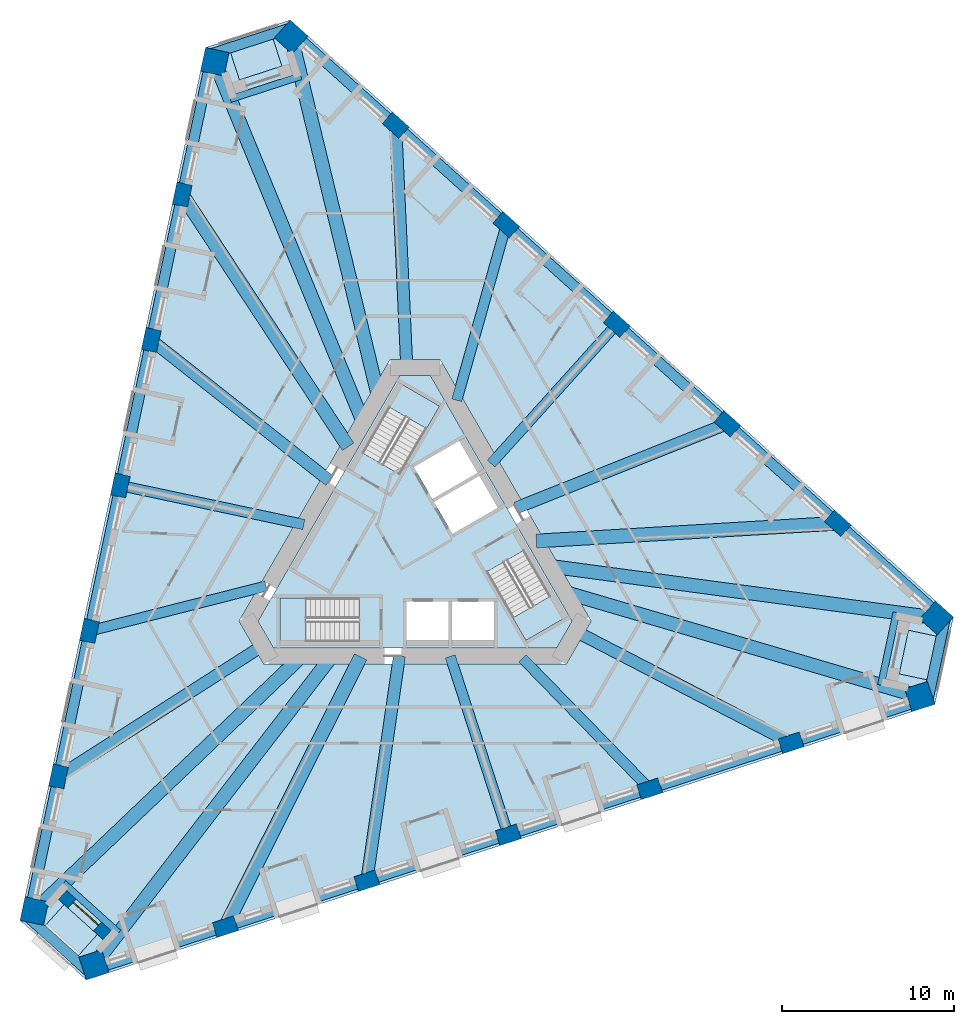
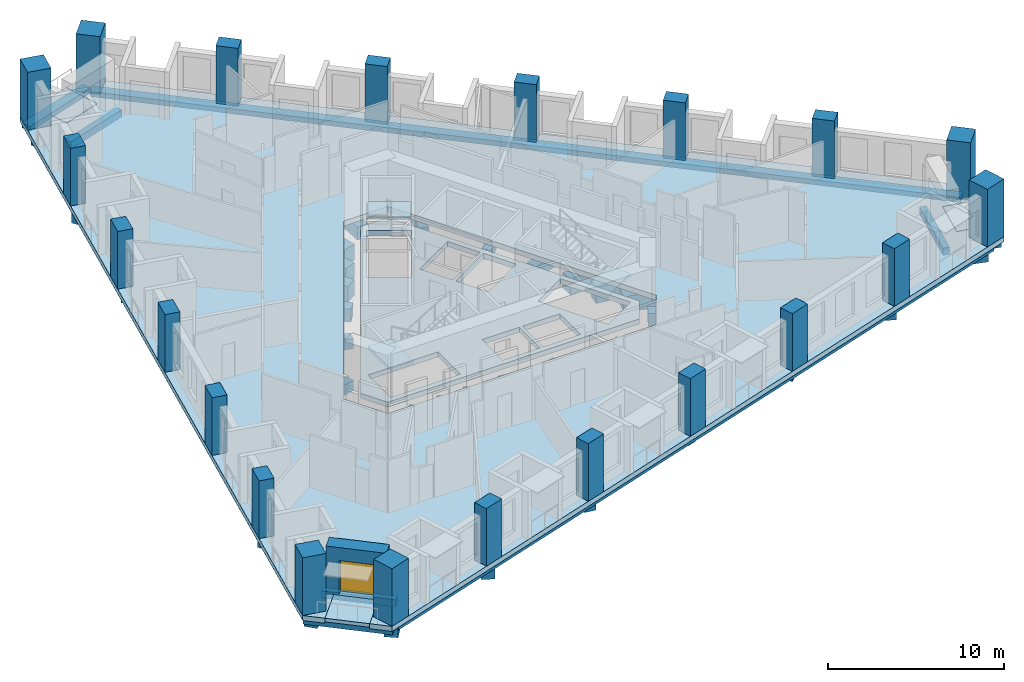
# One storey, part 1 of 12: 30 beams, 21 columns, 8 slabs, 1 door, 1 wall, 1 opening, 3 elements without a shape of their own.
"""IFC4 building model written with IfcOpenShell, lengths in metres."""

from ifc_helpers import new_model, si_unit, direction, frame, frame_2d, origin, origin_2d, place, context, subcontext, project, spatial, polyline, rectangle, outline, extrude, material, layer, layer_set, material_profile, profile_set, type_object, element, fill, aggregate, save


model = new_model("IFC4")

# Units and contexts
model_context = context("Model", 3, precision=1e-05, world=origin(), true_north=direction((0.0, 1.0)))
body_context = subcontext(model_context, "Body", "Model", "MODEL_VIEW")
ifc_project = project(units=[si_unit("LENGTHUNIT", "METRE"), si_unit("AREAUNIT", "SQUARE_METRE"), si_unit("VOLUMEUNIT", "CUBIC_METRE"), si_unit("PLANEANGLEUNIT", "RADIAN"), si_unit("MASSUNIT", "GRAM", prefix="KILO")], contexts=[model_context])

# Site, building, storey
site_placement = place(None, origin())
site = spatial("IfcSite", under=ifc_project, at=site_placement, CompositionType="ELEMENT")
building_placement = place(site_placement, origin())
building = spatial("IfcBuilding", under=site, at=building_placement, Name="Tramontana Tower", CompositionType="ELEMENT")
storey_placement = place(building_placement, frame((0.0, 0.0, 96.39990234375)))
storey = spatial("IfcBuildingStorey", under=building, at=storey_placement, Name="L21", CompositionType="ELEMENT", Elevation=96.39990234375)

# Columns
ifc_material_1 = material(Name="Concrete 70 MPa", Category="concrete")
ifc_material_profile_1 = material_profile(ifc_material_1, rectangle(XDim=1.39990234375, YDim=1.39990234375, at=origin_2d()), Name="Mega column 1400X1400 70 MPa")
ifc_profile_set_1 = profile_set([ifc_material_profile_1], Name="Concrete 70 MPa")
column_type_1 = type_object("IfcColumnType", Name="Mega column 1400X1400 70 MPa", PredefinedType="COLUMN", material=ifc_profile_set_1)
for number, where, z_axis, x_axis, name in (
    (1, (-11.665771484375, 28.3251953125, 0.0), (0.0, 0.0, 1.0), (-0.207911690818, -0.978147600734, 0.0), "Mega column C2K1 L21"),
    (2, (-22.17822265625, -21.13134765625, 0.0), (0.0, 0.0, 1.0), (-0.207911690818, -0.978147600734, 0.0), "Mega column C2K2 L21"),
    (3, (-18.697509765625, -24.265380859375, 0.0), (0.0, 0.0, 1.0), (0.951056516295, 0.309016994375, 0.0), "Mega column C2K3 L21"),
    (4, (29.389404296875, -8.64111328125, 0.0), (0.0, 0.0, 1.0), (0.951056516295, 0.309016994375, 0.0), "Mega column C2K4 L21"),
    (5, (30.36328125, -4.059814453125, 0.0), (0.0, 0.0, 1.0), (-0.743144825477, 0.669130606359, 0.0), "Mega column C2K5 L21"),
    (6, (-7.21142578125, 29.7724609375, 0.0), (0.0, 0.0, 1.0), (-0.743144825477, 0.669130606359, 0.0), "Mega column C2K6 L21"),
):
    element("IfcColumn", number, at=place(storey_placement, frame(where, z_axis=z_axis, x_axis=x_axis)), inside=storey, type_object=column_type_1, Name=name, PredefinedType="COLUMN", context=body_context, shape_type="SweptSolid", body=[
        extrude(rectangle(XDim=1.39990234375, YDim=1.39990234375, at=origin_2d()), origin(), (0.0, 0.0, 1.0), 4.0),
    ])
ifc_material_2 = material(Name="Concrete 55 MPa", Category="concrete")
ifc_material_profile_2 = material_profile(ifc_material_2, rectangle(XDim=1.300048828125, YDim=0.89990234375, at=origin_2d()), Name="Pier column 1300X900 55 MPa")
ifc_profile_set_2 = profile_set([ifc_material_profile_2], Name="Concrete 55 MPa")
column_type_2 = type_object("IfcColumnType", Name="Pier column 1300X900 55 MPa", PredefinedType="COLUMN", material=ifc_profile_set_2)
for number, where, z_axis, x_axis, name in (
    (7, (-13.5654296875, 20.5908203125, 0.0), (0.0, 0.0, 1.0), (-0.207911690818, -0.978147600734, 0.0), "Pier column C2F01 L21"),
    (8, (-15.365966796875, 12.119873046875, 0.0), (0.0, 0.0, 1.0), (-0.207911690818, -0.978147600734, 0.0), "Pier column C2F02 L21"),
    (9, (-17.16650390625, 3.64892578125, 0.0), (0.0, 0.0, 1.0), (-0.207911690818, -0.978147600734, 0.0), "Pier column C2F03 L21"),
    (10, (-18.967041015625, -4.822265625, 0.0), (0.0, 0.0, 1.0), (-0.207911690818, -0.978147600734, 0.0), "Pier column C2F04 L21"),
    (11, (-20.767578125, -13.293212890625, 0.0), (0.0, 0.0, 1.0), (-0.207911690818, -0.978147600734, 0.0), "Pier column C2F05 L21"),
    (12, (-11.049560546875, -22.04345703125, 0.0), (0.0, 0.0, 1.0), (0.951056516295, 0.309016994375, 0.0), "Pier column C2F06 L21"),
    (13, (-2.813232421875, -19.3671875, 0.0), (0.0, 0.0, 1.0), (0.951056516295, 0.309016994375, 0.0), "Pier column C2F07 L21"),
    (14, (5.42333984375, -16.691162109375, 0.0), (0.0, 0.0, 1.0), (0.951056516295, 0.309016994375, 0.0), "Pier column C2F08 L21"),
    (15, (13.65966796875, -14.014892578125, 0.0), (0.0, 0.0, 1.0), (0.951056516295, 0.309016994375, 0.0), "Pier column C2F09 L21"),
    (16, (21.89599609375, -11.338623046875, 0.0), (0.0, 0.0, 1.0), (0.951056516295, 0.309016994375, 0.0), "Pier column C2F10 L21"),
    (17, (24.614990234375, 1.452392578125, 0.0), (0.0, 0.0, 1.0), (-0.743144825477, 0.669130606359, 0.0), "Pier column C2F11 L21"),
    (18, (18.178955078125, 7.247314453125, 0.0), (0.0, 0.0, 1.0), (-0.743144825477, 0.669130606359, 0.0), "Pier column C2F12 L21"),
    (19, (11.7431640625, 13.042236328125, 0.0), (0.0, 0.0, 1.0), (-0.743144825477, 0.669130606359, 0.0), "Pier column C2F13 L21"),
    (20, (5.307373046875, 18.8369140625, 0.0), (0.0, 0.0, 1.0), (-0.743144825477, 0.669130606359, 0.0), "Pier column C2F14 L21"),
    (21, (-1.12841796875, 24.6318359375, 0.0), (0.0, 0.0, 1.0), (-0.743144825477, 0.669130606359, 0.0), "Pier column C2F15 L21"),
):
    element("IfcColumn", number, at=place(storey_placement, frame(where, z_axis=z_axis, x_axis=x_axis)), inside=storey, type_object=column_type_2, Name=name, PredefinedType="COLUMN", context=body_context, shape_type="SweptSolid", body=[
        extrude(rectangle(XDim=1.300048828125, YDim=0.89990234375, at=origin_2d()), origin(), (0.0, 0.0, 1.0), 4.0),
    ])

# Beams
ifc_material_3 = material(Name="Concrete 40 MPa", Category="concrete")
ifc_material_profile_3 = material_profile(ifc_material_3, rectangle(XDim=0.60009765625, YDim=0.35009765625, at=origin_2d()), Name="RC EDGE BEAM 600X350 40 MPa")
ifc_profile_set_3 = profile_set([ifc_material_profile_3], Name="Concrete 40 MPa")
beam_type_1 = type_object("IfcBeamType", Name="RC EDGE BEAM 600X350 40 MPa", PredefinedType="SPANDREL", material=ifc_profile_set_3)
beam_1_placement = place(storey_placement, frame((-11.910400390625, 28.377197265625, -0.52490234375), z_axis=(-0.207908708796, -0.978148234577, 0.0), x_axis=(0.978148234577, -0.207908708796, 0.0)))
element("IfcBeam", 22, at=beam_1_placement, inside=storey, type_object=beam_type_1, Name="Spandrel beam S0 L21", PredefinedType="SPANDREL", context=body_context, shape_type="SweptSolid", body=[
    extrude(rectangle(XDim=0.60009765625, YDim=0.35009765625, at=origin_2d()), origin(), (0.0, 0.0, 1.0), 50.561767578125),
])
beam_2_placement = place(storey_placement, frame((-18.6201171875, -24.503173828125, -0.52490234375), z_axis=(0.95105720178, 0.309014884661, 0.0), x_axis=(-0.309014884661, 0.95105720178, 0.0)))
element("IfcBeam", 23, at=beam_2_placement, inside=storey, type_object=beam_type_1, Name="Spandrel beam S1 L21", PredefinedType="SPANDREL", context=body_context, shape_type="SweptSolid", body=[
    extrude(rectangle(XDim=0.60009765625, YDim=0.35009765625, at=origin_2d()), origin(), (0.0, 0.0, 1.0), 50.5615234375),
])
beam_3_placement = place(storey_placement, frame((30.530517578125, -3.873779296875, -0.52490234375), z_axis=(-0.743146468863, 0.66912878119, 0.0), x_axis=(-0.66912878119, -0.743146468863, 0.0)))
element("IfcBeam", 24, at=beam_3_placement, inside=storey, type_object=beam_type_1, Name="Spandrel beam S2 L21", PredefinedType="SPANDREL", context=body_context, shape_type="SweptSolid", body=[
    extrude(rectangle(XDim=0.60009765625, YDim=0.35009765625, at=origin_2d()), origin(), (0.0, 0.0, 1.0), 50.561279296875),
])
beam_4_placement = place(storey_placement, frame((-7.1240234375, 30.333251953125, -0.52490234375), z_axis=(-0.951056854477, -0.309015953557, 0.0), x_axis=(0.309015953557, -0.951056854477, 0.0)))
element("IfcBeam", 25, at=beam_4_placement, inside=storey, type_object=beam_type_1, Name="Spandrel beam K0 L21", PredefinedType="SPANDREL", context=body_context, shape_type="SweptSolid", body=[
    extrude(rectangle(XDim=0.60009765625, YDim=0.35009765625, at=origin_2d()), origin(), (0.0, 0.0, 1.0), 5.1962890625),
])
beam_5_placement = place(storey_placement, frame((-22.707275390625, -21.336181640625, -0.52490234375), z_axis=(0.743160964229, -0.669112682025, 0.0), x_axis=(0.669112682025, 0.743160964229, 0.0)))
element("IfcBeam", 26, at=beam_5_placement, inside=storey, type_object=beam_type_1, Name="Spandrel beam K1 L21", PredefinedType="SPANDREL", context=body_context, shape_type="SweptSolid", body=[
    extrude(rectangle(XDim=0.60009765625, YDim=0.35009765625, at=origin_2d()), origin(), (0.0, 0.0, 1.0), 5.196044921875),
])
beam_6_placement = place(storey_placement, frame((29.831298828125, -8.9970703125, -0.52490234375), z_axis=(0.207902023431, 0.97814965555, 0.0), x_axis=(-0.97814965555, 0.207902023431, 0.0)))
element("IfcBeam", 27, at=beam_6_placement, inside=storey, type_object=beam_type_1, Name="Spandrel beam K2 L21", PredefinedType="SPANDREL", context=body_context, shape_type="SweptSolid", body=[
    extrude(rectangle(XDim=0.60009765625, YDim=0.35009765625, at=origin_2d()), origin(), (0.0, 0.0, 1.0), 5.1962890625),
])
ifc_material_4 = material(Name="Concrete 40 MPa", Category="concrete")
ifc_material_profile_4 = material_profile(ifc_material_4, rectangle(XDim=0.60009765625, YDim=0.699951171875, at=origin_2d()), Name="RC GIRDER 600X700 40 MPa")
ifc_profile_set_4 = profile_set([ifc_material_profile_4], Name="Concrete 40 MPa")
beam_type_2 = type_object("IfcBeamType", Name="RC GIRDER 600X700 40 MPa", PredefinedType="BEAM", material=ifc_profile_set_4)
beam_7_placement = place(storey_placement, frame((-17.16650390625, 3.64892578125, -0.699951171875), z_axis=(0.978147322784, -0.207912998466, 0.0), x_axis=(0.207912998466, 0.978147322784, 0.0)))
element("IfcBeam", 28, at=beam_7_placement, inside=storey, type_object=beam_type_2, Name="Radial girder C2F03 L21", PredefinedType="BEAM", context=body_context, shape_type="SweptSolid", body=[
    extrude(rectangle(XDim=0.60009765625, YDim=0.699951171875, at=origin_2d()), origin(), (0.0, 0.0, 1.0), 10.927490234375),
])
beam_8_placement = place(storey_placement, frame((-18.967041015625, -4.822265625, -0.699951171875), z_axis=(0.969167879742, 0.24640134106, 0.0), x_axis=(-0.24640134106, 0.969167879742, 0.0)))
element("IfcBeam", 29, at=beam_8_placement, inside=storey, type_object=beam_type_2, Name="Radial girder C2F04 L21", PredefinedType="BEAM", context=body_context, shape_type="SweptSolid", body=[
    extrude(rectangle(XDim=0.60009765625, YDim=0.699951171875, at=origin_2d()), origin(), (0.0, 0.0, 1.0), 10.61962890625),
])
beam_9_placement = place(storey_placement, frame((5.423095703125, -16.69091796875, -0.699951171875), z_axis=(-0.309006757929, 0.951059842257, 0.0), x_axis=(-0.951059842257, -0.309006757929, 0.0)))
element("IfcBeam", 30, at=beam_9_placement, inside=storey, type_object=beam_type_2, Name="Radial girder C2F08 L21", PredefinedType="BEAM", context=body_context, shape_type="SweptSolid", body=[
    extrude(rectangle(XDim=0.60009765625, YDim=0.699951171875, at=origin_2d()), origin(), (0.0, 0.0, 1.0), 10.927734375),
])
beam_10_placement = place(storey_placement, frame((13.65966796875, -14.014892578125, -0.699951171875), z_axis=(-0.697979323515, 0.716117912041, 0.0), x_axis=(-0.716117912041, -0.697979323515, 0.0)))
element("IfcBeam", 31, at=beam_10_placement, inside=storey, type_object=beam_type_2, Name="Radial girder C2F09 L21", PredefinedType="BEAM", context=body_context, shape_type="SweptSolid", body=[
    extrude(rectangle(XDim=0.60009765625, YDim=0.699951171875, at=origin_2d()), origin(), (0.0, 0.0, 1.0), 10.61962890625),
])
beam_11_placement = place(storey_placement, frame((11.7431640625, 13.042236328125, -0.699951171875), z_axis=(-0.669128882364, -0.743146377766, 0.0), x_axis=(0.743146377766, -0.669128882364, 0.0)))
element("IfcBeam", 32, at=beam_11_placement, inside=storey, type_object=beam_type_2, Name="Radial girder C2F13 L21", PredefinedType="BEAM", context=body_context, shape_type="SweptSolid", body=[
    extrude(rectangle(XDim=0.60009765625, YDim=0.699951171875, at=origin_2d()), origin(), (0.0, 0.0, 1.0), 10.927734375),
])
beam_12_placement = place(storey_placement, frame((5.307373046875, 18.8369140625, -0.699951171875), z_axis=(-0.271184951147, -0.962527257937, 0.0), x_axis=(0.962527257937, -0.271184951147, 0.0)))
element("IfcBeam", 33, at=beam_12_placement, inside=storey, type_object=beam_type_2, Name="Radial girder C2F14 L21", PredefinedType="BEAM", context=body_context, shape_type="SweptSolid", body=[
    extrude(rectangle(XDim=0.60009765625, YDim=0.699951171875, at=origin_2d()), origin(), (0.0, 0.0, 1.0), 10.61962890625),
])
ifc_material_5 = material(Name="Concrete 40 MPa", Category="concrete")
ifc_material_profile_5 = material_profile(ifc_material_5, rectangle(XDim=0.699951171875, YDim=0.89990234375, at=origin_2d()), Name="RC GIRDER 700X900 40 MPa")
ifc_profile_set_5 = profile_set([ifc_material_profile_5], Name="Concrete 40 MPa")
beam_type_3 = type_object("IfcBeamType", Name="RC GIRDER 700X900 40 MPa", PredefinedType="BEAM", material=ifc_profile_set_5)
beam_13_placement = place(storey_placement, frame((-15.365966796875, 12.119873046875, -0.7998046875), z_axis=(0.785161962565, -0.619290475093, 0.0), x_axis=(0.619290475093, 0.785161962565, 0.0)))
element("IfcBeam", 34, at=beam_13_placement, inside=storey, type_object=beam_type_3, Name="Radial girder C2F02 L21", PredefinedType="BEAM", context=body_context, shape_type="SweptSolid", body=[
    extrude(rectangle(XDim=0.699951171875, YDim=0.89990234375, at=origin_2d()), origin(), (0.0, 0.0, 1.0), 13.224609375),
])
beam_14_placement = place(storey_placement, frame((-20.767578125, -13.293212890625, -0.7998046875), z_axis=(0.842236860049, 0.539107662323, 0.0), x_axis=(-0.539107662323, 0.842236860049, 0.0)))
element("IfcBeam", 35, at=beam_14_placement, inside=storey, type_object=beam_type_3, Name="Radial girder C2F05 L21", PredefinedType="BEAM", context=body_context, shape_type="SweptSolid", body=[
    extrude(rectangle(XDim=0.699951171875, YDim=0.89990234375, at=origin_2d()), origin(), (0.0, 0.0, 1.0), 14.12109375),
])
beam_15_placement = place(storey_placement, frame((-2.81298828125, -19.3671875, -0.7998046875), z_axis=(0.143736706845, 0.989615965466, 0.0), x_axis=(-0.989615965466, 0.143736706845, 0.0)))
element("IfcBeam", 36, at=beam_15_placement, inside=storey, type_object=beam_type_3, Name="Radial girder C2F07 L21", PredefinedType="BEAM", context=body_context, shape_type="SweptSolid", body=[
    extrude(rectangle(XDim=0.699951171875, YDim=0.89990234375, at=origin_2d()), origin(), (0.0, 0.0, 1.0), 13.224609375),
])
beam_16_placement = place(storey_placement, frame((21.89599609375, -11.338623046875, -0.7998046875), z_axis=(-0.88800272981, 0.45983818007, 0.0), x_axis=(-0.45983818007, -0.88800272981, 0.0)))
element("IfcBeam", 37, at=beam_16_placement, inside=storey, type_object=beam_type_3, Name="Radial girder C2F10 L21", PredefinedType="BEAM", context=body_context, shape_type="SweptSolid", body=[
    extrude(rectangle(XDim=0.699951171875, YDim=0.89990234375, at=origin_2d()), origin(), (0.0, 0.0, 1.0), 14.12109375),
])
beam_17_placement = place(storey_placement, frame((18.17919921875, 7.247314453125, -0.7998046875), z_axis=(-0.928907671919, -0.370311405509, 0.0), x_axis=(0.370311405509, -0.928907671919, 0.0)))
element("IfcBeam", 38, at=beam_17_placement, inside=storey, type_object=beam_type_3, Name="Radial girder C2F12 L21", PredefinedType="BEAM", context=body_context, shape_type="SweptSolid", body=[
    extrude(rectangle(XDim=0.699951171875, YDim=0.89990234375, at=origin_2d()), origin(), (0.0, 0.0, 1.0), 13.224609375),
])
beam_18_placement = place(storey_placement, frame((-1.12841796875, 24.6318359375, -0.7998046875), z_axis=(0.045763702309, -0.99895229293, 0.0), x_axis=(0.99895229293, 0.045763702309, 0.0)))
element("IfcBeam", 39, at=beam_18_placement, inside=storey, type_object=beam_type_3, Name="Radial girder C2F15 L21", PredefinedType="BEAM", context=body_context, shape_type="SweptSolid", body=[
    extrude(rectangle(XDim=0.699951171875, YDim=0.89990234375, at=origin_2d()), origin(), (0.0, 0.0, 1.0), 14.121337890625),
])
ifc_material_6 = material(Name="Concrete 40 MPa", Category="concrete")
ifc_material_profile_6 = material_profile(ifc_material_6, rectangle(XDim=0.800048828125, YDim=1.10009765625, at=origin_2d()), Name="RC GIRDER 800X1100 40 MPa")
ifc_profile_set_6 = profile_set([ifc_material_profile_6], Name="Concrete 40 MPa")
beam_type_4 = type_object("IfcBeamType", Name="RC GIRDER 800X1100 40 MPa", PredefinedType="BEAM", material=ifc_profile_set_6)
beam_19_placement = place(storey_placement, frame((-11.665771484375, 28.3251953125, -0.89990234375), z_axis=(0.380819934235, -0.924649218725, 0.0), x_axis=(0.924649218725, 0.380819934235, 0.0)))
element("IfcBeam", 40, at=beam_19_placement, inside=storey, type_object=beam_type_4, Name="Radial girder C2K1 L21", PredefinedType="BEAM", context=body_context, shape_type="SweptSolid", body=[
    extrude(rectangle(XDim=0.800048828125, YDim=1.10009765625, at=origin_2d()), origin(), (0.0, 0.0, 1.0), 22.5869140625),
])
beam_20_placement = place(storey_placement, frame((-13.5654296875, 20.5908203125, -0.89990234375), z_axis=(0.550154503281, -0.835062885368, 0.0), x_axis=(0.835062885368, 0.550154503281, 0.0)))
element("IfcBeam", 41, at=beam_20_placement, inside=storey, type_object=beam_type_4, Name="Radial girder C2F01 L21", PredefinedType="BEAM", context=body_context, shape_type="SweptSolid", body=[
    extrude(rectangle(XDim=0.800048828125, YDim=1.10009765625, at=origin_2d()), origin(), (0.0, 0.0, 1.0), 17.58203125),
])
beam_21_placement = place(storey_placement, frame((-22.177978515625, -21.13134765625, -0.89990234375), z_axis=(0.723983254275, 0.689817546551, 0.0), x_axis=(-0.689817546551, 0.723983254275, 0.0)))
element("IfcBeam", 42, at=beam_21_placement, inside=storey, type_object=beam_type_4, Name="Radial girder C2K2 L21", PredefinedType="BEAM", context=body_context, shape_type="SweptSolid", body=[
    extrude(rectangle(XDim=0.800048828125, YDim=1.10009765625, at=origin_2d()), origin(), (0.0, 0.0, 1.0), 21.322998046875),
])
beam_22_placement = place(storey_placement, frame((-18.697509765625, -24.265380859375, -0.89990234375), z_axis=(0.610367161523, 0.792118632614, 0.0), x_axis=(-0.792118632614, 0.610367161523, 0.0)))
element("IfcBeam", 43, at=beam_22_placement, inside=storey, type_object=beam_type_4, Name="Radial girder C2K3 L21", PredefinedType="BEAM", context=body_context, shape_type="SweptSolid", body=[
    extrude(rectangle(XDim=0.800048828125, YDim=1.10009765625, at=origin_2d()), origin(), (0.0, 0.0, 1.0), 22.5869140625),
])
beam_23_placement = place(storey_placement, frame((-11.049560546875, -22.04345703125, -0.89990234375), z_axis=(0.448118712833, 0.893974059584, 0.0), x_axis=(-0.893974059584, 0.448118712833, 0.0)))
element("IfcBeam", 44, at=beam_23_placement, inside=storey, type_object=beam_type_4, Name="Radial girder C2F06 L21", PredefinedType="BEAM", context=body_context, shape_type="SweptSolid", body=[
    extrude(rectangle(XDim=0.800048828125, YDim=1.10009765625, at=origin_2d()), origin(), (0.0, 0.0, 1.0), 17.582275390625),
])
beam_24_placement = place(storey_placement, frame((29.389404296875, -8.64111328125, -0.89990234375), z_axis=(-0.959390293023, 0.282082019372, 0.0), x_axis=(-0.282082019372, -0.959390293023, 0.0)))
element("IfcBeam", 45, at=beam_24_placement, inside=storey, type_object=beam_type_4, Name="Radial girder C2K4 L21", PredefinedType="BEAM", context=body_context, shape_type="SweptSolid", body=[
    extrude(rectangle(XDim=0.800048828125, YDim=1.10009765625, at=origin_2d()), origin(), (0.0, 0.0, 1.0), 21.3232421875),
])
beam_25_placement = place(storey_placement, frame((30.36328125, -4.059814453125, -0.89990234375), z_axis=(-0.99117940686, 0.132526915819, 0.0), x_axis=(-0.132526915819, -0.99117940686, 0.0)))
element("IfcBeam", 46, at=beam_25_placement, inside=storey, type_object=beam_type_4, Name="Radial girder C2K5 L21", PredefinedType="BEAM", context=body_context, shape_type="SweptSolid", body=[
    extrude(rectangle(XDim=0.800048828125, YDim=1.10009765625, at=origin_2d()), origin(), (0.0, 0.0, 1.0), 22.587158203125),
])
beam_26_placement = place(storey_placement, frame((24.614990234375, 1.452392578125, -0.89990234375), z_axis=(-0.998263727152, -0.058902725346, 0.0), x_axis=(0.058902725346, -0.998263727152, 0.0)))
element("IfcBeam", 47, at=beam_26_placement, inside=storey, type_object=beam_type_4, Name="Radial girder C2F11 L21", PredefinedType="BEAM", context=body_context, shape_type="SweptSolid", body=[
    extrude(rectangle(XDim=0.800048828125, YDim=1.10009765625, at=origin_2d()), origin(), (0.0, 0.0, 1.0), 17.582275390625),
])
beam_27_placement = place(storey_placement, frame((-7.211181640625, 29.7724609375, -0.89990234375), z_axis=(0.235403401789, -0.971897751014, 0.0), x_axis=(0.971897751014, 0.235403401789, 0.0)))
element("IfcBeam", 48, at=beam_27_placement, inside=storey, type_object=beam_type_4, Name="Radial girder C2K6 L21", PredefinedType="BEAM", context=body_context, shape_type="SweptSolid", body=[
    extrude(rectangle(XDim=0.800048828125, YDim=1.10009765625, at=origin_2d()), origin(), (0.0, 0.0, 1.0), 21.322998046875),
])
ifc_material_7 = material(Name="Concrete 40 MPa", Category="concrete")
ifc_material_profile_7 = material_profile(ifc_material_7, rectangle(XDim=0.39990234375, YDim=0.5, at=origin_2d()), Name="RC TRIM BEAM 400X500 40 MPa")
ifc_profile_set_7 = profile_set([ifc_material_profile_7], Name="Concrete 40 MPa")
beam_type_5 = type_object("IfcBeamType", Name="RC TRIM BEAM 400X500 40 MPa", PredefinedType="JOIST", material=ifc_profile_set_7)
for number, where, z_axis, x_axis, name in (
    (49, (-6.657958984375, 27.48779296875, -0.599853515625), (-0.951061034198, -0.309003089354, 0.0), (0.309003089354, -0.951061034198, 0.0), "Trimmer beam K0 L21"),
    (50, (-20.476318359375, -19.510009765625, -0.599853515625), (0.743173417356, -0.669098850496, 0.0), (0.669098850496, 0.743173417356, 0.0), "Trimmer beam K1 L21"),
    (51, (27.13427734375, -7.97802734375, -0.599853515625), (0.207882389407, 0.978153828482, 0.0), (-0.978153828482, 0.207882389407, 0.0), "Trimmer beam K2 L21"),
):
    element("IfcBeam", number, at=place(storey_placement, frame(where, z_axis=z_axis, x_axis=x_axis)), inside=storey, type_object=beam_type_5, Name=name, PredefinedType="JOIST", context=body_context, shape_type="SweptSolid", body=[
        extrude(rectangle(XDim=0.39990234375, YDim=0.5, at=origin_2d()), origin(), (0.0, 0.0, 1.0), 4.32421875),
    ])

# Slabs
ifc_material_8 = material(Name="Precast concrete 50 MPa", Category="concrete")
ifc_layer_1 = layer(ifc_material_8, 0.25)
ifc_layer_set_1 = layer_set([ifc_layer_1], Name="LT1 Loggia floor tray 250")
slab_type_1 = type_object("IfcSlabType", Name="LT1 Loggia floor tray 250", PredefinedType="FLOOR", material=ifc_layer_set_1)
slab_1_placement = place(storey_placement, frame((0.0, 0.0, -0.25)))
element("IfcSlab", 52, at=slab_1_placement, inside=storey, type_object=slab_type_1, Name="Corner loggia floor L21 K20", PredefinedType="FLOOR", context=body_context, shape_type="SweptSolid", body=[
    extrude(outline(polyline([(-8.49755859375, 30.360107421875), (-7.756103515625, 28.077392578125), (-10.228759765625, 27.27392578125), (-10.970458984375, 29.556640625), (-8.49755859375, 30.360107421875)])), origin(), (0.0, 0.0, 1.0), 0.25),
])
slab_2_placement = place(storey_placement, frame((0.0, 0.0, -0.25)))
element("IfcSlab", 53, at=slab_2_placement, inside=storey, type_object=slab_type_1, Name="Corner loggia floor L21 K21", PredefinedType="FLOOR", context=body_context, shape_type="SweptSolid", body=[
    extrude(outline(polyline([(-22.043701171875, -22.539306640625), (-20.437744140625, -20.755615234375), (-18.505615234375, -22.495361328125), (-20.111572265625, -24.279052734375), (-22.043701171875, -22.539306640625)])), origin(), (0.0, 0.0, 1.0), 0.25),
])
slab_3_placement = place(storey_placement, frame((0.0, 0.0, -0.25)))
element("IfcSlab", 54, at=slab_3_placement, inside=storey, type_object=slab_type_1, Name="Corner loggia floor L21 K22", PredefinedType="FLOOR", context=body_context, shape_type="SweptSolid", body=[
    extrude(outline(polyline([(30.541259765625, -7.82080078125), (28.19384765625, -7.32177734375), (28.734375, -4.778564453125), (31.08203125, -5.277587890625), (30.541259765625, -7.82080078125)])), origin(), (0.0, 0.0, 1.0), 0.25),
])
ifc_material_9 = material(Name="Concrete 40 MPa", Category="concrete")
ifc_layer_2 = layer(ifc_material_9, 0.35009765625)
ifc_layer_set_2 = layer_set([ifc_layer_2], Name="PT FLAT SLAB 350 40 MPa")
slab_type_2 = type_object("IfcSlabType", Name="PT FLAT SLAB 350 40 MPa", PredefinedType="FLOOR", material=ifc_layer_set_2)
slab_4_placement = place(storey_placement, frame((0.0, 0.0, -0.349853515625)))
element("IfcSlab", 55, at=slab_4_placement, inside=storey, type_object=slab_type_2, Name="Floor slab L21", PredefinedType="FLOOR", context=body_context, shape_type="SweptSolid", body=[
    extrude(outline(polyline([(31.081787109375, -5.277587890625), (28.734375, -4.778564453125), (28.19384765625, -7.32177734375), (30.54150390625, -7.82080078125), (30.271484375, -9.090576171875), (-19.14697265625, -25.1474609375), (-20.111572265625, -24.27880859375), (-18.505615234375, -22.495361328125), (-20.437744140625, -20.755615234375), (-22.043701171875, -22.539306640625), (-23.00830078125, -21.670654296875), (-12.205078125, 29.155517578125), (-10.970458984375, 29.556640625), (-10.228759765625, 27.27392578125), (-7.756103515625, 28.077392578125), (-8.497802734375, 30.360107421875), (-7.26318359375, 30.760986328125), (31.351806640625, -4.0078125), (31.081787109375, -5.277587890625)]), holes=[polyline([(-10.248046875, -4.25), (-8.8046875, -6.75), (8.8046875, -6.75), (10.248046875, -4.25), (1.443359375, 11.0), (-1.443359375, 11.0), (-10.248046875, -4.25)])]), origin(), (0.0, 0.0, 1.0), 0.349853515625),
])
slab_5_placement = place(storey_placement, frame((0.0, 0.0, -0.349853515625)))
element("IfcSlab", 56, at=slab_5_placement, inside=storey, type_object=slab_type_2, Name="Core floor slab L21", PredefinedType="FLOOR", context=body_context, shape_type="SweptSolid", body=[
    extrude(outline(polyline([(9.15087890625, -4.25), (8.256103515625, -5.800048828125), (-8.256103515625, -5.800048828125), (-9.15087890625, -4.25), (-0.89501953125, 10.050048828125), (0.89501953125, 10.050048828125), (9.15087890625, -4.25)]), holes=[polyline([(8.659912109375, -4.099365234375), (6.35986328125, -0.115478515625), (4.151611328125, -1.390625), (6.451416015625, -5.374267578125), (8.659912109375, -4.099365234375)]), polyline([(3.829833984375, 4.2666015625), (1.101806640625, 2.69140625), (2.177001953125, 0.82958984375), (4.90478515625, 2.404541015625), (3.829833984375, 4.2666015625)]), polyline([(4.590087890625, -3.10009765625), (2.139892578125, -3.10009765625), (2.139892578125, -5.449951171875), (4.590087890625, -5.449951171875), (4.590087890625, -3.10009765625)]), polyline([(2.65478515625, 6.3017578125), (-0.072998046875, 4.726806640625), (1.001953125, 2.86474609375), (3.729736328125, 4.439697265625), (2.65478515625, 6.3017578125)]), polyline([(1.93994140625, -5.449951171875), (1.93994140625, -3.10009765625), (-0.510009765625, -3.10009765625), (-0.510009765625, -5.449951171875), (1.93994140625, -5.449951171875)]), polyline([(-0.77978515625, 9.54931640625), (-3.079833984375, 5.565673828125), (-0.87158203125, 4.29052734375), (1.428466796875, 8.2744140625), (-0.77978515625, 9.54931640625)]), polyline([(-7.8798828125, -5.449951171875), (-3.280029296875, -5.449951171875), (-3.280029296875, -2.89990234375), (-7.8798828125, -2.89990234375), (-7.8798828125, -5.449951171875)])]), origin(), (0.0, 0.0, 1.0), 0.349853515625),
])

# Stair, slab
ifc_material_10 = material(Name="Concrete 40 MPa", Category="concrete")
stair_type = type_object("IfcStairType", Name="EXIT STAIR 24 RISERS", PredefinedType="HALF_TURN_STAIR", material=ifc_material_10)
stair_1_placement = place(storey_placement, origin())
stair_1 = element("IfcStair", 57, at=stair_1_placement, inside=storey, type_object=stair_type, Name="L21 Exit stair ST1", PredefinedType="HALF_TURN_STAIR")
ifc_material_11 = material(Name="Concrete 40 MPa", Category="concrete")
ifc_layer_3 = layer(ifc_material_11, 0.199951171875)
ifc_layer_set_3 = layer_set([ifc_layer_3], Name="STAIR LANDING 200")
slab_type_3 = type_object("IfcSlabType", Name="STAIR LANDING 200", PredefinedType="LANDING", material=ifc_layer_set_3)
slab_6_placement = place(storey_placement, frame((0.0, 0.0, 1.800048828125)))
slab_6 = element("IfcSlab", 58, at=slab_6_placement, type_object=slab_type_3, Name="ST1 landing 1", PredefinedType="LANDING", context=body_context, shape_type="SweptSolid", body=[
    extrude(outline(polyline([(0.66845703125, 6.9580078125), (1.428466796875, 8.274169921875), (-0.77978515625, 9.54931640625), (-1.539794921875, 8.23291015625), (0.66845703125, 6.9580078125)])), origin(), (0.0, 0.0, 1.0), 0.199951171875),
])
aggregate(stair_1, [slab_6])

stair_2_placement = place(storey_placement, origin())
stair_2 = element("IfcStair", 59, at=stair_2_placement, inside=storey, type_object=stair_type, Name="L21 Exit stair ST2", PredefinedType="HALF_TURN_STAIR")
slab_7_placement = place(storey_placement, frame((0.0, 0.0, 1.800048828125)))
slab_7 = element("IfcSlab", 60, at=slab_7_placement, type_object=slab_type_3, Name="ST2 landing 1", PredefinedType="LANDING", context=body_context, shape_type="SweptSolid", body=[
    extrude(outline(polyline([(-6.360107421875, -2.89990234375), (-7.8798828125, -2.89990234375), (-7.8798828125, -5.449951171875), (-6.360107421875, -5.449951171875), (-6.360107421875, -2.89990234375)])), origin(), (0.0, 0.0, 1.0), 0.199951171875),
])
aggregate(stair_2, [slab_7])

stair_3_placement = place(storey_placement, origin())
stair_3 = element("IfcStair", 61, at=stair_3_placement, inside=storey, type_object=stair_type, Name="L21 Exit stair ST3", PredefinedType="HALF_TURN_STAIR")
slab_8_placement = place(storey_placement, frame((0.0, 0.0, 1.800048828125)))
slab_8 = element("IfcSlab", 62, at=slab_8_placement, type_object=slab_type_3, Name="ST3 landing 1", PredefinedType="LANDING", context=body_context, shape_type="SweptSolid", body=[
    extrude(outline(polyline([(5.69140625, -4.057861328125), (6.451416015625, -5.374267578125), (8.659912109375, -4.099365234375), (7.89990234375, -2.782958984375), (5.69140625, -4.057861328125)])), origin(), (0.0, 0.0, 1.0), 0.199951171875),
])
aggregate(stair_3, [slab_8])

# Wall, opening, door
ifc_material_12 = material(Name="Precast concrete 60 MPa", Category="concrete")
ifc_layer_4 = layer(ifc_material_12, 0.89990234375)
ifc_layer_set_4 = layer_set([ifc_layer_4], Name="EW2 Stone-faced corner loggia wall 900")
wall_type = type_object("IfcWallType", Name="EW2 Stone-faced corner loggia wall 900", PredefinedType="SOLIDWALL", material=ifc_layer_set_4)
wall_placement = place(storey_placement, frame((-17.8701171875, -22.462158203125, 0.0), z_axis=(0.0, 0.0, 1.0), x_axis=(-0.743141519559, 0.669134277936, 0.0)))
wall = element("IfcWall", 63, at=wall_placement, inside=storey, type_object=wall_type, Name="Corner loggia wall L21 K21", PredefinedType="SOLIDWALL", context=body_context, shape_type="SweptSolid", body=[
    extrude(rectangle(XDim=3.5, YDim=0.89990234375, at=frame_2d((1.75, 0.0))), origin(), (0.0, 0.0, 1.0), 3.300048828125),
])
opening_placement = place(wall_placement, frame((0.75, 0.0, 0.0)))
opening = element("IfcOpeningElement", 64, at=opening_placement, cuts=wall, Name="Opening BD-21C", PredefinedType="OPENING", context=body_context, shape_type="SweptSolid", body=[
    extrude(rectangle(XDim=2.0, YDim=2.39990234375, at=frame_2d((1.0, 1.199951171875))), frame((0.0, 0.4599609375, 0.0), z_axis=(0.0, -1.0, 0.0), x_axis=(1.0, 0.0, 0.0)), (0.0, 0.0, 1.0), 0.919921875),
])
ifc_material_13 = material(Name="Aluminum frame, double glazing unit", Category="aluminium")
door_type = type_object("IfcDoorType", Name="BC1 Sliding door 2 x 2.4", OperationType="SLIDING_TO_LEFT", PredefinedType="DOOR", material=ifc_material_13)
door_placement = place(opening_placement, origin())
door = element("IfcDoor", 65, at=door_placement, inside=storey, type_object=door_type, Name="Corner loggia door L21 K21", OperationType="SLIDING_TO_LEFT", OverallHeight=2.39990234375, OverallWidth=2.0, PredefinedType="DOOR", context=body_context, shape_type="SweptSolid", body=[
    extrude(rectangle(XDim=2.0, YDim=2.39990234375, at=frame_2d((1.0, 1.199951171875))), frame((0.0, 0.02490234375, 0.0), z_axis=(0.0, -1.0, 0.0), x_axis=(1.0, 0.0, 0.0)), (0.0, 0.0, 1.0), 0.050048828125),
])
fill(opening, door)

save(model, "model.ifc")
